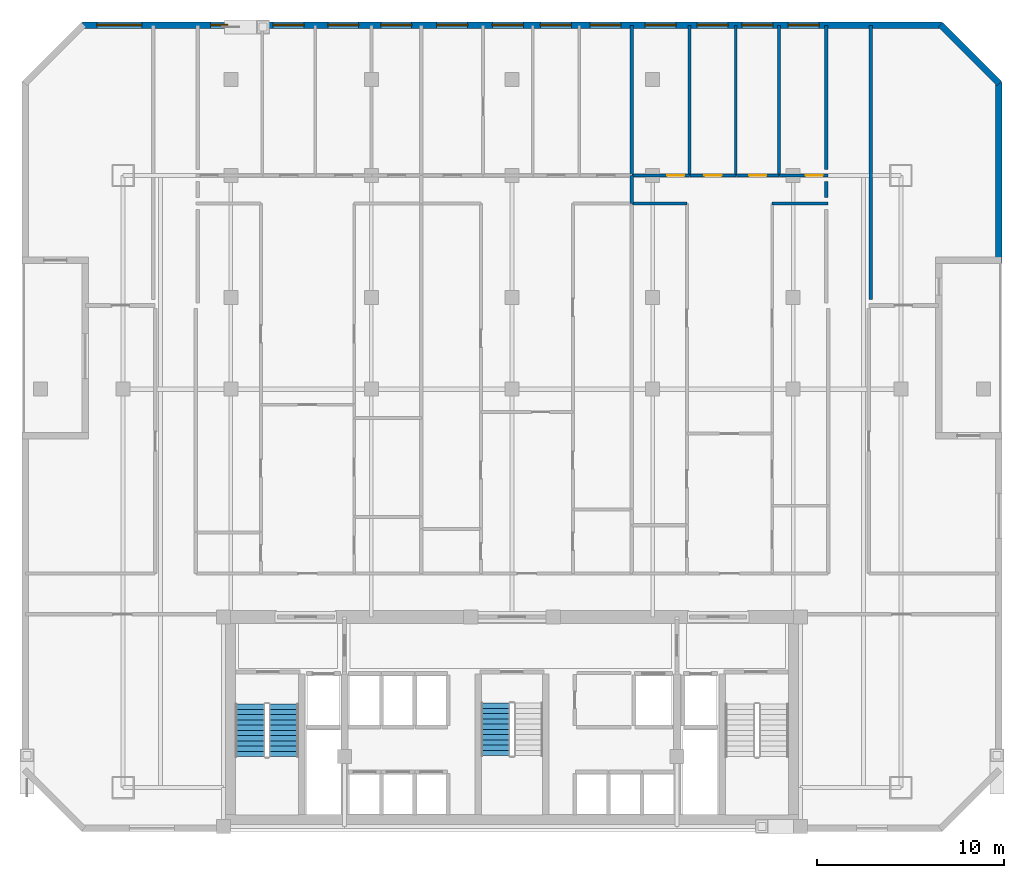
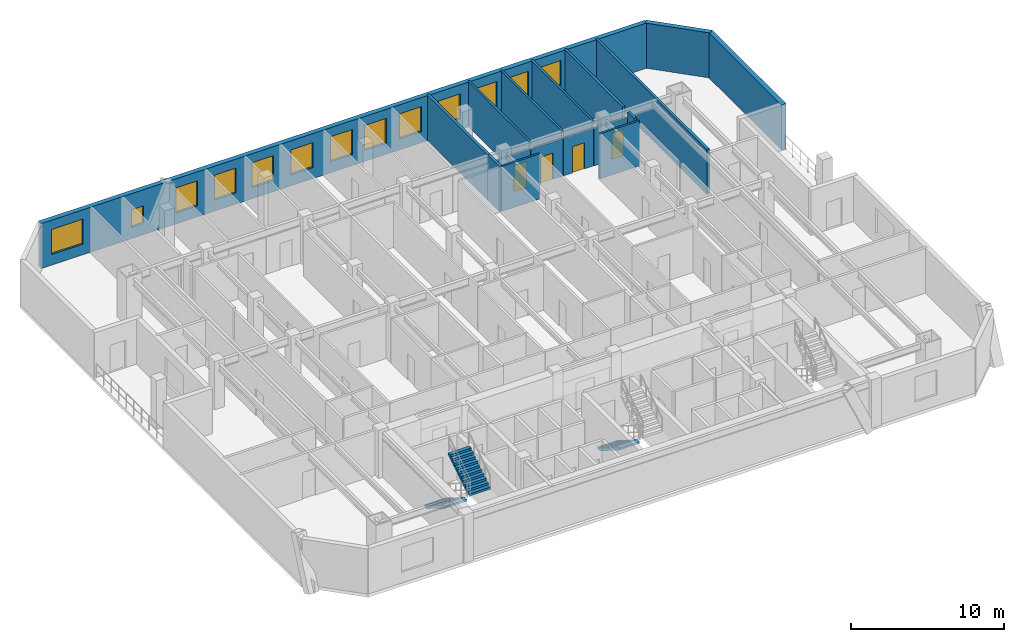
# One storey, part 7 of 10: 17 walls, 13 windows, 4 doors, 3 stair flights, 17 openings, 2 elements without a shape of their own.
"""IFC4 building model written with IfcOpenShell, lengths in metres."""

from ifc_helpers import new_model, si_unit, direction, frame, frame_2d, origin, place, context, subcontext, project, spatial, polyline, rectangle, outline, extrude, material, layer, layer_set, type_object, element, fill, aggregate, save


model = new_model("IFC4")

# Units and contexts
model_context = context("Model", 3, precision=1e-05, world=origin(), true_north=direction((0.0, 1.0)))
body_context = subcontext(model_context, "Body", "Model", "MODEL_VIEW")
ifc_project = project(units=[si_unit("LENGTHUNIT", "METRE"), si_unit("AREAUNIT", "SQUARE_METRE"), si_unit("VOLUMEUNIT", "CUBIC_METRE"), si_unit("PLANEANGLEUNIT", "RADIAN"), si_unit("MASSUNIT", "GRAM", prefix="KILO")], contexts=[model_context])

# Site, building, storey
site_placement = place(None, origin())
site = spatial("IfcSite", under=ifc_project, at=site_placement, CompositionType="ELEMENT")
building_placement = place(site_placement, origin())
building = spatial("IfcBuilding", under=site, at=building_placement, Name="Ventersveld Concourse Tower", CompositionType="ELEMENT")
storey_placement = place(building_placement, frame((0.0, 0.0, 123.39990234375)))
storey = spatial("IfcBuildingStorey", under=building, at=storey_placement, Name="L30", CompositionType="ELEMENT", Elevation=123.39990234375)

# Walls
ifc_material_1 = material(Name="Fire-rated autoclaved aerated masonry blockwork", Category="masonry")
ifc_layer_1 = layer(ifc_material_1, 0.179931640625)
ifc_layer_set_1 = layer_set([ifc_layer_1], Name="Fire-rated autoclaved aerated masonry blockwork")
wall_type_1 = type_object("IfcWallType", Name="WL-CORR-180", PredefinedType="PARTITIONING", material=ifc_layer_set_1)
wall_1_placement = place(storey_placement, frame((47.8798828125, 28.39501953125, 0.0), z_axis=(0.0, 0.0, 1.0), x_axis=(0.0, 1.0, 0.0)))
element("IfcWall", 1, at=wall_1_placement, inside=storey, type_object=wall_type_1, Name="L30 Room Enclosure Wall SP-L30-NELNG2", PredefinedType="PARTITIONING", context=body_context, shape_type="SweptSolid", body=[
    extrude(rectangle(XDim=14.594970703125, YDim=0.179931640625, at=frame_2d((7.29736328125, 0.0))), origin(), (0.0, 0.0, 1.0), 3.60009765625),
])
wall_2_placement = place(storey_placement, frame((45.52001953125, 34.675048828125, 0.0), z_axis=(0.0, 0.0, 1.0), x_axis=(0.0, -1.0, 0.0)))
element("IfcWall", 2, at=wall_2_placement, inside=storey, type_object=wall_type_1, Name="L30 Room Enclosure Wall SP-L30-30N3-LIV", PredefinedType="PARTITIONING", context=body_context, shape_type="SweptSolid", body=[
    extrude(rectangle(XDim=0.85009765625, YDim=0.179931640625, at=frame_2d((0.425048828125, 0.0))), origin(), (0.0, 0.0, 1.0), 3.60009765625),
])
wall_3_placement = place(storey_placement, frame((45.52001953125, 42.989990234375, 0.0), z_axis=(0.0, 0.0, 1.0), x_axis=(0.0, -1.0, 0.0)))
element("IfcWall", 3, at=wall_3_placement, inside=storey, type_object=wall_type_1, Name="L30 Room Enclosure Wall SP-L30-30N3-BR4", PredefinedType="PARTITIONING", context=body_context, shape_type="SweptSolid", body=[
    extrude(rectangle(XDim=7.6650390625, YDim=0.179931640625, at=frame_2d((3.83251953125, 0.0))), origin(), (0.0, 0.0, 1.0), 3.60009765625),
])
ifc_layer_2 = layer(ifc_material_1, 0.199951171875)
ifc_layer_set_2 = layer_set([ifc_layer_2], Name="Fire-rated autoclaved aerated masonry blockwork")
wall_type_2 = type_object("IfcWallType", Name="WL-DEMISE-200", PredefinedType="PARTITIONING", material=ifc_layer_set_2)
wall_4_placement = place(storey_placement, frame((35.144287109375, 33.4951171875, 0.0), z_axis=(0.0, 0.0, 1.0), x_axis=(0.0, 1.0, 0.0)))
element("IfcWall", 4, at=wall_4_placement, inside=storey, type_object=wall_type_2, Name="L30 Interior Partition SP-L30-30N2-LIV-SP-L30-30N3-LIV", PredefinedType="PARTITIONING", context=body_context, shape_type="SweptSolid", body=[
    extrude(rectangle(XDim=1.509765625, YDim=0.199951171875, at=frame_2d((0.7548828125, 0.0))), origin(), (0.0, 0.0, 1.0), 3.60009765625),
])
wall_5_placement = place(storey_placement, frame((35.144287109375, 35.034912109375, 0.0), z_axis=(0.0, 0.0, 1.0), x_axis=(0.0, 1.0, 0.0)))
element("IfcWall", 5, at=wall_5_placement, inside=storey, type_object=wall_type_2, Name="L30 Interior Partition SP-L30-30N2-BR4-SP-L30-30N3-BR1", PredefinedType="PARTITIONING", context=body_context, shape_type="SweptSolid", body=[
    extrude(rectangle(XDim=7.955078125, YDim=0.199951171875, at=frame_2d((3.9775390625, 0.0))), origin(), (0.0, 0.0, 1.0), 3.60009765625),
])
ifc_material_2 = material(Name="Autoclaved aerated masonry blockwork", Category="masonry")
ifc_layer_3 = layer(ifc_material_2, 0.14990234375)
ifc_layer_set_3 = layer_set([ifc_layer_3], Name="Autoclaved aerated masonry blockwork")
wall_type_3 = type_object("IfcWallType", Name="WL-INT-150", PredefinedType="PARTITIONING", material=ifc_layer_set_3)
wall_6_placement = place(storey_placement, frame((35.17919921875, 33.5, 0.0), z_axis=(0.0, 0.0, 1.0), x_axis=(1.0, 0.0, 0.0)))
element("IfcWall", 6, at=wall_6_placement, inside=storey, type_object=wall_type_3, Name="L30 Interior Partition SP-L30-30N3-LIV-SP-L30-30N3-OFFL0", PredefinedType="PARTITIONING", context=body_context, shape_type="SweptSolid", body=[
    extrude(rectangle(XDim=2.90576171875, YDim=0.14990234375, at=frame_2d((1.452880859375, 0.0))), origin(), (0.0, 0.0, 1.0), 3.60009765625),
])
wall_7_placement = place(storey_placement, frame((42.62646484375, 33.5, 0.0), z_axis=(0.0, 0.0, 1.0), x_axis=(1.0, 0.0, 0.0)))
element("IfcWall", 7, at=wall_7_placement, inside=storey, type_object=wall_type_3, Name="L30 Interior Partition SP-L30-30N3-LIV-SP-L30-30N3-DENR", PredefinedType="PARTITIONING", context=body_context, shape_type="SweptSolid", body=[
    extrude(rectangle(XDim=2.988525390625, YDim=0.14990234375, at=frame_2d((1.494140625, 0.0))), origin(), (0.0, 0.0, 1.0), 3.60009765625),
])

# Wall, opening, door
wall_8_placement = place(storey_placement, frame((35.17919921875, 35.0, 0.0), z_axis=(0.0, 0.0, 1.0), x_axis=(1.0, 0.0, 0.0)))
wall_8 = element("IfcWall", 8, at=wall_8_placement, inside=storey, type_object=wall_type_3, Name="L30 Interior Partition SP-L30-30N3-LIV-SP-L30-30N3-BR1", PredefinedType="PARTITIONING", context=body_context, shape_type="SweptSolid", body=[
    extrude(rectangle(XDim=3.043212890625, YDim=0.14990234375, at=frame_2d((1.521484375, 0.0))), origin(), (0.0, 0.0, 1.0), 2.98291015625),
])
opening_1_placement = place(wall_8_placement, frame((1.84326171875, 0.0, 0.0)))
opening_1 = element("IfcOpeningElement", 9, at=opening_1_placement, cuts=wall_8, Name="Opening ID1", PredefinedType="OPENING", context=body_context, shape_type="SweptSolid", body=[
    extrude(rectangle(XDim=0.919921875, YDim=2.10009765625, at=frame_2d((0.4599609375, 1.050048828125))), frame((0.0, 0.0849609375, 0.0), z_axis=(0.0, -1.0, 0.0), x_axis=(1.0, 0.0, 0.0)), (0.0, 0.0, 1.0), 0.169921875),
])
ifc_material_3 = material(Name="Solid-core hardwood veneer timber", Category="wood")
door_type = type_object("IfcDoorType", Name="DR-ROOM-092", OperationType="NOTDEFINED", PredefinedType="DOOR", material=ifc_material_3)
door_1_placement = place(opening_1_placement, origin())
door_1 = element("IfcDoor", 10, at=door_1_placement, inside=storey, type_object=door_type, Name="L30 Interior Door SP-L30-30N3-LIV to SP-L30-30N3-BR1 (D-L30-1529)", OperationType="SINGLE_SWING_LEFT", OverallHeight=2.10009765625, OverallWidth=0.919921875, PredefinedType="DOOR", context=body_context, shape_type="SweptSolid", body=[
    extrude(rectangle(XDim=0.919921875, YDim=2.10009765625, at=frame_2d((0.4599609375, 1.050048828125))), frame((0.0, 0.02490234375, 0.0), z_axis=(0.0, -1.0, 0.0), x_axis=(1.0, 0.0, 0.0)), (0.0, 0.0, 1.0), 0.050048828125),
])
fill(opening_1, door_1)

wall_9_placement = place(storey_placement, frame((38.25244140625, 35.0, 0.0), z_axis=(0.0, 0.0, 1.0), x_axis=(1.0, 0.0, 0.0)))
wall_9 = element("IfcWall", 11, at=wall_9_placement, inside=storey, type_object=wall_type_3, Name="L30 Interior Partition SP-L30-30N3-LIV-SP-L30-30N3-BR2", PredefinedType="PARTITIONING", context=body_context, shape_type="SweptSolid", body=[
    extrude(rectangle(XDim=2.434326171875, YDim=0.14990234375, at=frame_2d((1.21728515625, 0.0))), origin(), (0.0, 0.0, 1.0), 2.98291015625),
])
opening_2_placement = place(wall_9_placement, frame((0.757080078125, 0.0, 0.0)))
opening_2 = element("IfcOpeningElement", 12, at=opening_2_placement, cuts=wall_9, Name="Opening ID1", PredefinedType="OPENING", context=body_context, shape_type="SweptSolid", body=[
    extrude(rectangle(XDim=0.919921875, YDim=2.10009765625, at=frame_2d((0.4599609375, 1.050048828125))), frame((0.0, 0.0849609375, 0.0), z_axis=(0.0, -1.0, 0.0), x_axis=(1.0, 0.0, 0.0)), (0.0, 0.0, 1.0), 0.169921875),
])
door_2_placement = place(opening_2_placement, origin())
door_2 = element("IfcDoor", 13, at=door_2_placement, inside=storey, type_object=door_type, Name="L30 Interior Door SP-L30-30N3-LIV to SP-L30-30N3-BR2 (D-L30-1530)", OperationType="SINGLE_SWING_RIGHT", OverallHeight=2.10009765625, OverallWidth=0.919921875, PredefinedType="DOOR", context=body_context, shape_type="SweptSolid", body=[
    extrude(rectangle(XDim=0.919921875, YDim=2.10009765625, at=frame_2d((0.4599609375, 1.050048828125))), frame((0.0, 0.02490234375, 0.0), z_axis=(0.0, -1.0, 0.0), x_axis=(1.0, 0.0, 0.0)), (0.0, 0.0, 1.0), 0.050048828125),
])
fill(opening_2, door_2)

wall_10_placement = place(storey_placement, frame((40.716796875, 35.0, 0.0), z_axis=(0.0, 0.0, 1.0), x_axis=(1.0, 0.0, 0.0)))
wall_10 = element("IfcWall", 14, at=wall_10_placement, inside=storey, type_object=wall_type_3, Name="L30 Interior Partition SP-L30-30N3-LIV-SP-L30-30N3-BR3", PredefinedType="PARTITIONING", context=body_context, shape_type="SweptSolid", body=[
    extrude(rectangle(XDim=2.28173828125, YDim=0.14990234375, at=frame_2d((1.140869140625, 0.0))), origin(), (0.0, 0.0, 1.0), 2.98291015625),
])
opening_3_placement = place(wall_10_placement, frame((0.680908203125, 0.0, 0.0)))
opening_3 = element("IfcOpeningElement", 15, at=opening_3_placement, cuts=wall_10, Name="Opening ID1", PredefinedType="OPENING", context=body_context, shape_type="SweptSolid", body=[
    extrude(rectangle(XDim=0.919921875, YDim=2.10009765625, at=frame_2d((0.4599609375, 1.050048828125))), frame((0.0, 0.0849609375, 0.0), z_axis=(0.0, -1.0, 0.0), x_axis=(1.0, 0.0, 0.0)), (0.0, 0.0, 1.0), 0.169921875),
])
door_3_placement = place(opening_3_placement, origin())
door_3 = element("IfcDoor", 16, at=door_3_placement, inside=storey, type_object=door_type, Name="L30 Interior Door SP-L30-30N3-LIV to SP-L30-30N3-BR3 (D-L30-1531)", OperationType="SINGLE_SWING_LEFT", OverallHeight=2.10009765625, OverallWidth=0.919921875, PredefinedType="DOOR", context=body_context, shape_type="SweptSolid", body=[
    extrude(rectangle(XDim=0.919921875, YDim=2.10009765625, at=frame_2d((0.4599609375, 1.050048828125))), frame((0.0, 0.02490234375, 0.0), z_axis=(0.0, -1.0, 0.0), x_axis=(1.0, 0.0, 0.0)), (0.0, 0.0, 1.0), 0.050048828125),
])
fill(opening_3, door_3)

wall_11_placement = place(storey_placement, frame((43.028564453125, 35.0, 0.0), z_axis=(0.0, 0.0, 1.0), x_axis=(1.0, 0.0, 0.0)))
wall_11 = element("IfcWall", 17, at=wall_11_placement, inside=storey, type_object=wall_type_3, Name="L30 Interior Partition SP-L30-30N3-LIV-SP-L30-30N3-BR4", PredefinedType="PARTITIONING", context=body_context, shape_type="SweptSolid", body=[
    extrude(rectangle(XDim=2.58642578125, YDim=0.14990234375, at=frame_2d((1.293212890625, 0.0))), origin(), (0.0, 0.0, 1.0), 2.98291015625),
])
opening_4_placement = place(wall_11_placement, frame((1.386474609375, 0.0, 0.0)))
opening_4 = element("IfcOpeningElement", 18, at=opening_4_placement, cuts=wall_11, Name="Opening ID1", PredefinedType="OPENING", context=body_context, shape_type="SweptSolid", body=[
    extrude(rectangle(XDim=0.919921875, YDim=2.10009765625, at=frame_2d((0.4599609375, 1.050048828125))), frame((0.0, 0.0849609375, 0.0), z_axis=(0.0, -1.0, 0.0), x_axis=(1.0, 0.0, 0.0)), (0.0, 0.0, 1.0), 0.169921875),
])
door_4_placement = place(opening_4_placement, origin())
door_4 = element("IfcDoor", 19, at=door_4_placement, inside=storey, type_object=door_type, Name="L30 Interior Door SP-L30-30N3-LIV to SP-L30-30N3-BR4 (D-L30-1532)", OperationType="SINGLE_SWING_RIGHT", OverallHeight=2.10009765625, OverallWidth=0.919921875, PredefinedType="DOOR", context=body_context, shape_type="SweptSolid", body=[
    extrude(rectangle(XDim=0.919921875, YDim=2.10009765625, at=frame_2d((0.4599609375, 1.050048828125))), frame((0.0, 0.02490234375, 0.0), z_axis=(0.0, -1.0, 0.0), x_axis=(1.0, 0.0, 0.0)), (0.0, 0.0, 1.0), 0.050048828125),
])
fill(opening_4, door_4)

# Walls
for number, where, z_axis, x_axis, name in (
    (20, (38.217529296875, 34.9951171875, 0.0), (0.0, 0.0, 1.0), (0.0, 1.0, 0.0), "L30 Interior Partition SP-L30-30N3-BR1-SP-L30-30N3-BR2"),
    (21, (40.681640625, 34.9951171875, 0.0), (0.0, 0.0, 1.0), (0.0, 1.0, 0.0), "L30 Interior Partition SP-L30-30N3-BR2-SP-L30-30N3-BR3"),
    (22, (42.99365234375, 34.9951171875, 0.0), (0.0, 0.0, 1.0), (0.0, 1.0, 0.0), "L30 Interior Partition SP-L30-30N3-BR3-SP-L30-30N3-BR4"),
):
    element("IfcWall", number, at=place(storey_placement, frame(where, z_axis=z_axis, x_axis=x_axis)), inside=storey, type_object=wall_type_3, Name=name, PredefinedType="PARTITIONING", context=body_context, shape_type="SweptSolid", body=[
        extrude(rectangle(XDim=7.994873046875, YDim=0.14990234375, at=frame_2d((3.99755859375, 0.0))), origin(), (0.0, 0.0, 1.0), 3.60009765625),
    ])
ifc_material_4 = material(Name="Precast concrete C45/55", Category="concrete")
ifc_layer_4 = layer(ifc_material_4, 0.35009765625)
ifc_layer_set_4 = layer_set([ifc_layer_4], Name="Precast concrete C45/55")
wall_type_4 = type_object("IfcWallType", Name="WL-PREC-350", PredefinedType="SOLIDWALL", material=ifc_layer_set_4)
wall_12_placement = place(storey_placement, frame((54.72509765625, 30.340087890625, 0.0), z_axis=(0.0, 0.0, 1.0), x_axis=(0.0, 1.0, 0.0)))
element("IfcWall", 23, at=wall_12_placement, inside=storey, type_object=wall_type_4, Name="L30 Highveld Precast Facade Wall E07", PredefinedType="SOLIDWALL", context=body_context, shape_type="SweptSolid", body=[
    extrude(rectangle(XDim=9.619873046875, YDim=0.35009765625, at=frame_2d((4.81005859375, 0.0))), origin(), (0.0, 0.0, 1.0), 3.60009765625),
])
wall_13_placement = place(storey_placement, frame((54.748046875, 39.904541015625, 0.0), z_axis=(0.0, 0.0, 1.0), x_axis=(-0.707106781187, 0.707106781187, 0.0)))
element("IfcWall", 24, at=wall_13_placement, inside=storey, type_object=wall_type_4, Name="L30 Highveld Precast Facade Wall E08", PredefinedType="SOLIDWALL", context=body_context, shape_type="SweptSolid", body=[
    extrude(rectangle(XDim=4.445556640625, YDim=0.35009765625, at=frame_2d((2.22265625, 0.0))), origin(), (0.0, 0.0, 1.0), 3.60009765625),
])

# Wall, openings, windows
wall_14_placement = place(storey_placement, frame((51.659912109375, 43.02490234375, 0.0), z_axis=(0.0, 0.0, 1.0), x_axis=(-1.0, 0.0, 0.0)))
wall_14 = element("IfcWall", 25, at=wall_14_placement, inside=storey, type_object=wall_type_4, Name="L30 Highveld Precast Facade Wall E09", PredefinedType="SOLIDWALL", context=body_context, shape_type="SweptSolid", body=[
    extrude(rectangle(XDim=45.81982421875, YDim=0.35009765625, at=frame_2d((22.909912109375, 0.0))), origin(), (0.0, 0.0, 1.0), 3.60009765625),
])
opening_5_placement = place(wall_14_placement, frame((42.64990234375, 0.0, 0.85009765625)))
opening_5 = element("IfcOpeningElement", 26, at=opening_5_placement, cuts=wall_14, Name="Opening W5", PredefinedType="OPENING", context=body_context, shape_type="SweptSolid", body=[
    extrude(rectangle(XDim=2.39990234375, YDim=2.0, at=frame_2d((1.199951171875, 1.0))), frame((0.0, 0.18505859375, 0.0), z_axis=(0.0, -1.0, 0.0), x_axis=(1.0, 0.0, 0.0)), (0.0, 0.0, 1.0), 0.3701171875),
])
opening_6_placement = place(wall_14_placement, frame((38.081298828125, 0.0, 0.89990234375)))
opening_6 = element("IfcOpeningElement", 27, at=opening_6_placement, cuts=wall_14, Name="Opening W8", PredefinedType="OPENING", context=body_context, shape_type="SweptSolid", body=[
    extrude(rectangle(XDim=0.89990234375, YDim=1.39990234375, at=frame_2d((0.449951171875, 0.699951171875))), frame((0.0, 0.18505859375, 0.0), z_axis=(0.0, -1.0, 0.0), x_axis=(1.0, 0.0, 0.0)), (0.0, 0.0, 1.0), 0.3701171875),
])
opening_7_placement = place(wall_14_placement, frame((33.998291015625, 0.0, 0.8798828125)))
opening_7 = element("IfcOpeningElement", 28, at=opening_7_placement, cuts=wall_14, Name="Opening W6", PredefinedType="OPENING", context=body_context, shape_type="SweptSolid", body=[
    extrude(rectangle(XDim=1.64990234375, YDim=2.0, at=frame_2d((0.824951171875, 1.0))), frame((0.0, 0.18505859375, 0.0), z_axis=(0.0, -1.0, 0.0), x_axis=(1.0, 0.0, 0.0)), (0.0, 0.0, 1.0), 0.3701171875),
])
opening_8_placement = place(wall_14_placement, frame((31.0849609375, 0.0, 0.8798828125)))
opening_8 = element("IfcOpeningElement", 29, at=opening_8_placement, cuts=wall_14, Name="Opening W6", PredefinedType="OPENING", context=body_context, shape_type="SweptSolid", body=[
    extrude(rectangle(XDim=1.64990234375, YDim=2.0, at=frame_2d((0.824951171875, 1.0))), frame((0.0, 0.18505859375, 0.0), z_axis=(0.0, -1.0, 0.0), x_axis=(1.0, 0.0, 0.0)), (0.0, 0.0, 1.0), 0.3701171875),
])
opening_9_placement = place(wall_14_placement, frame((28.2578125, 0.0, 0.8798828125)))
opening_9 = element("IfcOpeningElement", 30, at=opening_9_placement, cuts=wall_14, Name="Opening W6", PredefinedType="OPENING", context=body_context, shape_type="SweptSolid", body=[
    extrude(rectangle(XDim=1.64990234375, YDim=2.0, at=frame_2d((0.824951171875, 1.0))), frame((0.0, 0.18505859375, 0.0), z_axis=(0.0, -1.0, 0.0), x_axis=(1.0, 0.0, 0.0)), (0.0, 0.0, 1.0), 0.3701171875),
])
opening_10_placement = place(wall_14_placement, frame((25.279296875, 0.0, 0.8798828125)))
opening_10 = element("IfcOpeningElement", 31, at=opening_10_placement, cuts=wall_14, Name="Opening W6", PredefinedType="OPENING", context=body_context, shape_type="SweptSolid", body=[
    extrude(rectangle(XDim=1.64990234375, YDim=2.0, at=frame_2d((0.824951171875, 1.0))), frame((0.0, 0.18505859375, 0.0), z_axis=(0.0, -1.0, 0.0), x_axis=(1.0, 0.0, 0.0)), (0.0, 0.0, 1.0), 0.3701171875),
])
opening_11_placement = place(wall_14_placement, frame((22.304931640625, 0.0, 0.8798828125)))
opening_11 = element("IfcOpeningElement", 32, at=opening_11_placement, cuts=wall_14, Name="Opening W6", PredefinedType="OPENING", context=body_context, shape_type="SweptSolid", body=[
    extrude(rectangle(XDim=1.64990234375, YDim=2.0, at=frame_2d((0.824951171875, 1.0))), frame((0.0, 0.18505859375, 0.0), z_axis=(0.0, -1.0, 0.0), x_axis=(1.0, 0.0, 0.0)), (0.0, 0.0, 1.0), 0.3701171875),
])
opening_12_placement = place(wall_14_placement, frame((19.741455078125, 0.0, 0.8798828125)))
opening_12 = element("IfcOpeningElement", 33, at=opening_12_placement, cuts=wall_14, Name="Opening W6", PredefinedType="OPENING", context=body_context, shape_type="SweptSolid", body=[
    extrude(rectangle(XDim=1.64990234375, YDim=2.0, at=frame_2d((0.824951171875, 1.0))), frame((0.0, 0.18505859375, 0.0), z_axis=(0.0, -1.0, 0.0), x_axis=(1.0, 0.0, 0.0)), (0.0, 0.0, 1.0), 0.3701171875),
])
opening_13_placement = place(wall_14_placement, frame((17.095703125, 0.0, 0.8798828125)))
opening_13 = element("IfcOpeningElement", 34, at=opening_13_placement, cuts=wall_14, Name="Opening W6", PredefinedType="OPENING", context=body_context, shape_type="SweptSolid", body=[
    extrude(rectangle(XDim=1.64990234375, YDim=2.0, at=frame_2d((0.824951171875, 1.0))), frame((0.0, 0.18505859375, 0.0), z_axis=(0.0, -1.0, 0.0), x_axis=(1.0, 0.0, 0.0)), (0.0, 0.0, 1.0), 0.3701171875),
])
opening_14_placement = place(wall_14_placement, frame((14.154052734375, 0.0, 0.8798828125)))
opening_14 = element("IfcOpeningElement", 35, at=opening_14_placement, cuts=wall_14, Name="Opening W6", PredefinedType="OPENING", context=body_context, shape_type="SweptSolid", body=[
    extrude(rectangle(XDim=1.64990234375, YDim=2.0, at=frame_2d((0.824951171875, 1.0))), frame((0.0, 0.18505859375, 0.0), z_axis=(0.0, -1.0, 0.0), x_axis=(1.0, 0.0, 0.0)), (0.0, 0.0, 1.0), 0.3701171875),
])
opening_15_placement = place(wall_14_placement, frame((11.385498046875, 0.0, 0.8798828125)))
opening_15 = element("IfcOpeningElement", 36, at=opening_15_placement, cuts=wall_14, Name="Opening W6", PredefinedType="OPENING", context=body_context, shape_type="SweptSolid", body=[
    extrude(rectangle(XDim=1.64990234375, YDim=2.0, at=frame_2d((0.824951171875, 1.0))), frame((0.0, 0.18505859375, 0.0), z_axis=(0.0, -1.0, 0.0), x_axis=(1.0, 0.0, 0.0)), (0.0, 0.0, 1.0), 0.3701171875),
])
opening_16_placement = place(wall_14_placement, frame((8.997314453125, 0.0, 0.8798828125)))
opening_16 = element("IfcOpeningElement", 37, at=opening_16_placement, cuts=wall_14, Name="Opening W6", PredefinedType="OPENING", context=body_context, shape_type="SweptSolid", body=[
    extrude(rectangle(XDim=1.64990234375, YDim=2.0, at=frame_2d((0.824951171875, 1.0))), frame((0.0, 0.18505859375, 0.0), z_axis=(0.0, -1.0, 0.0), x_axis=(1.0, 0.0, 0.0)), (0.0, 0.0, 1.0), 0.3701171875),
])
opening_17_placement = place(wall_14_placement, frame((6.533203125, 0.0, 0.8798828125)))
opening_17 = element("IfcOpeningElement", 38, at=opening_17_placement, cuts=wall_14, Name="Opening W6", PredefinedType="OPENING", context=body_context, shape_type="SweptSolid", body=[
    extrude(rectangle(XDim=1.64990234375, YDim=2.0, at=frame_2d((0.824951171875, 1.0))), frame((0.0, 0.18505859375, 0.0), z_axis=(0.0, -1.0, 0.0), x_axis=(1.0, 0.0, 0.0)), (0.0, 0.0, 1.0), 0.3701171875),
])
ifc_material_5 = material(Name="Tempered acoustic Low-E IGU", Category="glass")
window_type_1 = type_object("IfcWindowType", Name="WIN-090x140", PartitioningType="SINGLE_PANEL", PredefinedType="WINDOW", material=ifc_material_5)
window_1_placement = place(opening_6_placement, origin())
window_1 = element("IfcWindow", 39, at=window_1_placement, inside=storey, type_object=window_type_1, Name="L30 Punched Low-E Window W-0383", OverallHeight=1.39990234375, OverallWidth=0.89990234375, PartitioningType="SINGLE_PANEL", PredefinedType="WINDOW", context=body_context, shape_type="SweptSolid", body=[
    extrude(rectangle(XDim=0.89990234375, YDim=1.39990234375, at=frame_2d((0.449951171875, 0.699951171875))), frame((0.0, 0.030029296875, 0.0), z_axis=(0.0, -1.0, 0.0), x_axis=(1.0, 0.0, 0.0)), (0.0, 0.0, 1.0), 0.06005859375),
])
fill(opening_6, window_1)
window_type_2 = type_object("IfcWindowType", Name="WIN-165x200", PartitioningType="SINGLE_PANEL", PredefinedType="WINDOW", material=ifc_material_5)
window_2_placement = place(opening_7_placement, origin())
window_2 = element("IfcWindow", 40, at=window_2_placement, inside=storey, type_object=window_type_2, Name="L30 Punched Low-E Window W-0384", OverallHeight=2.0, OverallWidth=1.64990234375, PartitioningType="SINGLE_PANEL", PredefinedType="WINDOW", context=body_context, shape_type="SweptSolid", body=[
    extrude(rectangle(XDim=1.64990234375, YDim=2.0, at=frame_2d((0.824951171875, 1.0))), frame((0.0, 0.030029296875, 0.0), z_axis=(0.0, -1.0, 0.0), x_axis=(1.0, 0.0, 0.0)), (0.0, 0.0, 1.0), 0.06005859375),
])
fill(opening_7, window_2)
window_3_placement = place(opening_8_placement, origin())
window_3 = element("IfcWindow", 41, at=window_3_placement, inside=storey, type_object=window_type_2, Name="L30 Punched Low-E Window W-0385", OverallHeight=2.0, OverallWidth=1.64990234375, PartitioningType="SINGLE_PANEL", PredefinedType="WINDOW", context=body_context, shape_type="SweptSolid", body=[
    extrude(rectangle(XDim=1.64990234375, YDim=2.0, at=frame_2d((0.824951171875, 1.0))), frame((0.0, 0.030029296875, 0.0), z_axis=(0.0, -1.0, 0.0), x_axis=(1.0, 0.0, 0.0)), (0.0, 0.0, 1.0), 0.06005859375),
])
fill(opening_8, window_3)
window_4_placement = place(opening_9_placement, origin())
window_4 = element("IfcWindow", 42, at=window_4_placement, inside=storey, type_object=window_type_2, Name="L30 Punched Low-E Window W-0386", OverallHeight=2.0, OverallWidth=1.64990234375, PartitioningType="SINGLE_PANEL", PredefinedType="WINDOW", context=body_context, shape_type="SweptSolid", body=[
    extrude(rectangle(XDim=1.64990234375, YDim=2.0, at=frame_2d((0.824951171875, 1.0))), frame((0.0, 0.030029296875, 0.0), z_axis=(0.0, -1.0, 0.0), x_axis=(1.0, 0.0, 0.0)), (0.0, 0.0, 1.0), 0.06005859375),
])
fill(opening_9, window_4)
window_5_placement = place(opening_10_placement, origin())
window_5 = element("IfcWindow", 43, at=window_5_placement, inside=storey, type_object=window_type_2, Name="L30 Punched Low-E Window W-0387", OverallHeight=2.0, OverallWidth=1.64990234375, PartitioningType="SINGLE_PANEL", PredefinedType="WINDOW", context=body_context, shape_type="SweptSolid", body=[
    extrude(rectangle(XDim=1.64990234375, YDim=2.0, at=frame_2d((0.824951171875, 1.0))), frame((0.0, 0.030029296875, 0.0), z_axis=(0.0, -1.0, 0.0), x_axis=(1.0, 0.0, 0.0)), (0.0, 0.0, 1.0), 0.06005859375),
])
fill(opening_10, window_5)
window_6_placement = place(opening_11_placement, origin())
window_6 = element("IfcWindow", 44, at=window_6_placement, inside=storey, type_object=window_type_2, Name="L30 Punched Low-E Window W-0388", OverallHeight=2.0, OverallWidth=1.64990234375, PartitioningType="SINGLE_PANEL", PredefinedType="WINDOW", context=body_context, shape_type="SweptSolid", body=[
    extrude(rectangle(XDim=1.64990234375, YDim=2.0, at=frame_2d((0.824951171875, 1.0))), frame((0.0, 0.030029296875, 0.0), z_axis=(0.0, -1.0, 0.0), x_axis=(1.0, 0.0, 0.0)), (0.0, 0.0, 1.0), 0.06005859375),
])
fill(opening_11, window_6)
window_7_placement = place(opening_12_placement, origin())
window_7 = element("IfcWindow", 45, at=window_7_placement, inside=storey, type_object=window_type_2, Name="L30 Punched Low-E Window W-0389", OverallHeight=2.0, OverallWidth=1.64990234375, PartitioningType="SINGLE_PANEL", PredefinedType="WINDOW", context=body_context, shape_type="SweptSolid", body=[
    extrude(rectangle(XDim=1.64990234375, YDim=2.0, at=frame_2d((0.824951171875, 1.0))), frame((0.0, 0.030029296875, 0.0), z_axis=(0.0, -1.0, 0.0), x_axis=(1.0, 0.0, 0.0)), (0.0, 0.0, 1.0), 0.06005859375),
])
fill(opening_12, window_7)
window_8_placement = place(opening_13_placement, origin())
window_8 = element("IfcWindow", 46, at=window_8_placement, inside=storey, type_object=window_type_2, Name="L30 Punched Low-E Window W-0390", OverallHeight=2.0, OverallWidth=1.64990234375, PartitioningType="SINGLE_PANEL", PredefinedType="WINDOW", context=body_context, shape_type="SweptSolid", body=[
    extrude(rectangle(XDim=1.64990234375, YDim=2.0, at=frame_2d((0.824951171875, 1.0))), frame((0.0, 0.030029296875, 0.0), z_axis=(0.0, -1.0, 0.0), x_axis=(1.0, 0.0, 0.0)), (0.0, 0.0, 1.0), 0.06005859375),
])
fill(opening_13, window_8)
window_9_placement = place(opening_14_placement, origin())
window_9 = element("IfcWindow", 47, at=window_9_placement, inside=storey, type_object=window_type_2, Name="L30 Punched Low-E Window W-0391", OverallHeight=2.0, OverallWidth=1.64990234375, PartitioningType="SINGLE_PANEL", PredefinedType="WINDOW", context=body_context, shape_type="SweptSolid", body=[
    extrude(rectangle(XDim=1.64990234375, YDim=2.0, at=frame_2d((0.824951171875, 1.0))), frame((0.0, 0.030029296875, 0.0), z_axis=(0.0, -1.0, 0.0), x_axis=(1.0, 0.0, 0.0)), (0.0, 0.0, 1.0), 0.06005859375),
])
fill(opening_14, window_9)
window_10_placement = place(opening_15_placement, origin())
window_10 = element("IfcWindow", 48, at=window_10_placement, inside=storey, type_object=window_type_2, Name="L30 Punched Low-E Window W-0392", OverallHeight=2.0, OverallWidth=1.64990234375, PartitioningType="SINGLE_PANEL", PredefinedType="WINDOW", context=body_context, shape_type="SweptSolid", body=[
    extrude(rectangle(XDim=1.64990234375, YDim=2.0, at=frame_2d((0.824951171875, 1.0))), frame((0.0, 0.030029296875, 0.0), z_axis=(0.0, -1.0, 0.0), x_axis=(1.0, 0.0, 0.0)), (0.0, 0.0, 1.0), 0.06005859375),
])
fill(opening_15, window_10)
window_11_placement = place(opening_16_placement, origin())
window_11 = element("IfcWindow", 49, at=window_11_placement, inside=storey, type_object=window_type_2, Name="L30 Punched Low-E Window W-0393", OverallHeight=2.0, OverallWidth=1.64990234375, PartitioningType="SINGLE_PANEL", PredefinedType="WINDOW", context=body_context, shape_type="SweptSolid", body=[
    extrude(rectangle(XDim=1.64990234375, YDim=2.0, at=frame_2d((0.824951171875, 1.0))), frame((0.0, 0.030029296875, 0.0), z_axis=(0.0, -1.0, 0.0), x_axis=(1.0, 0.0, 0.0)), (0.0, 0.0, 1.0), 0.06005859375),
])
fill(opening_16, window_11)
window_12_placement = place(opening_17_placement, origin())
window_12 = element("IfcWindow", 50, at=window_12_placement, inside=storey, type_object=window_type_2, Name="L30 Punched Low-E Window W-0394", OverallHeight=2.0, OverallWidth=1.64990234375, PartitioningType="SINGLE_PANEL", PredefinedType="WINDOW", context=body_context, shape_type="SweptSolid", body=[
    extrude(rectangle(XDim=1.64990234375, YDim=2.0, at=frame_2d((0.824951171875, 1.0))), frame((0.0, 0.030029296875, 0.0), z_axis=(0.0, -1.0, 0.0), x_axis=(1.0, 0.0, 0.0)), (0.0, 0.0, 1.0), 0.06005859375),
])
fill(opening_17, window_12)
window_type_3 = type_object("IfcWindowType", Name="WIN-240x210", PartitioningType="SINGLE_PANEL", PredefinedType="WINDOW", material=ifc_material_5)
window_13_placement = place(opening_5_placement, origin())
window_13 = element("IfcWindow", 51, at=window_13_placement, inside=storey, type_object=window_type_3, Name="L30 Punched Low-E Window W-0380", OverallHeight=2.0, OverallWidth=2.39990234375, PartitioningType="SINGLE_PANEL", PredefinedType="WINDOW", context=body_context, shape_type="SweptSolid", body=[
    extrude(rectangle(XDim=2.39990234375, YDim=2.0, at=frame_2d((1.199951171875, 1.0))), frame((0.0, 0.030029296875, 0.0), z_axis=(0.0, -1.0, 0.0), x_axis=(1.0, 0.0, 0.0)), (0.0, 0.0, 1.0), 0.06005859375),
])
fill(opening_5, window_13)

# Stair, stair flight
ifc_material_6 = material(Name="Concrete C50/60", Category="concrete")
stair_type_1 = type_object("IfcStairType", Name="ST-DOG-155", PredefinedType="HALF_TURN_STAIR", material=ifc_material_6)
stair_1_placement = place(storey_placement, origin())
stair_1 = element("IfcStair", 52, at=stair_1_placement, inside=storey, type_object=stair_type_1, Name="L30 Protected Central Core Escape Stair ST-03", PredefinedType="HALF_TURN_STAIR")
stair_flight_type_1 = type_object("IfcStairFlightType", Name="STF-RC-155", PredefinedType="STRAIGHT", material=ifc_material_6)
stair_flight_1_placement = place(storey_placement, frame((27.875, 6.85009765625, 0.0), z_axis=(0.0, 0.0, 1.0), x_axis=(0.0, -1.0, 0.0)))
stair_flight_1 = element("IfcStairFlight", 53, at=stair_flight_1_placement, type_object=stair_flight_type_1, Name="ST-03 flight 1", NumberOfRisers=11, NumberOfTreads=10, PredefinedType="STRAIGHT", RiserHeight=0.175, TreadLength=0.28, context=body_context, shape_type="SweptSolid", body=[
    extrude(outline(polyline([(0.0, 0.0), (0.0, 0.175048828125), (0.280029296875, 0.175048828125), (0.280029296875, 0.35009765625), (0.56005859375, 0.35009765625), (0.56005859375, 0.52490234375), (0.840087890625, 0.52490234375), (0.840087890625, 0.699951171875), (1.1201171875, 0.699951171875), (1.1201171875, 0.875), (1.39990234375, 0.875), (1.39990234375, 1.050048828125), (1.679931640625, 1.050048828125), (1.679931640625, 1.22509765625), (1.9599609375, 1.22509765625), (1.9599609375, 1.39990234375), (2.239990234375, 1.39990234375), (2.239990234375, 1.574951171875), (2.52001953125, 1.574951171875), (2.52001953125, 1.75), (2.800048828125, 1.75), (2.800048828125, 1.925048828125), (2.800048828125, 1.5732421875), (0.28271484375, 0.0), (0.0, 0.0)])), frame((0.0, 0.77490234375, 0.0), z_axis=(0.0, -1.0, 0.0), x_axis=(1.0, 0.0, 0.0)), (0.0, 0.0, 1.0), 1.550048828125),
])
aggregate(stair_1, [stair_flight_1])

# Stair, stair flights
stair_type_2 = type_object("IfcStairType", Name="ST-DOG-160", PredefinedType="HALF_TURN_STAIR", material=ifc_material_6)
stair_2_placement = place(storey_placement, origin())
stair_2 = element("IfcStair", 54, at=stair_2_placement, inside=storey, type_object=stair_type_2, Name="L30 Protected Tower Escape Stair ST-01", PredefinedType="HALF_TURN_STAIR")
stair_flight_type_2 = type_object("IfcStairFlightType", Name="STF-RC-160", PredefinedType="STRAIGHT", material=ifc_material_6)
stair_flight_2_placement = place(storey_placement, frame((14.780029296875, 6.800048828125, 0.0), z_axis=(0.0, 0.0, 1.0), x_axis=(0.0, -1.0, 0.0)))
stair_flight_2 = element("IfcStairFlight", 55, at=stair_flight_2_placement, type_object=stair_flight_type_2, Name="ST-01 flight 1", NumberOfRisers=11, NumberOfTreads=10, PredefinedType="STRAIGHT", RiserHeight=0.175, TreadLength=0.28, context=body_context, shape_type="SweptSolid", body=[
    extrude(outline(polyline([(0.0, 0.0), (0.0, 0.175048828125), (0.280029296875, 0.175048828125), (0.280029296875, 0.35009765625), (0.56005859375, 0.35009765625), (0.56005859375, 0.52490234375), (0.840087890625, 0.52490234375), (0.840087890625, 0.699951171875), (1.1201171875, 0.699951171875), (1.1201171875, 0.875), (1.39990234375, 0.875), (1.39990234375, 1.050048828125), (1.679931640625, 1.050048828125), (1.679931640625, 1.22509765625), (1.9599609375, 1.22509765625), (1.9599609375, 1.39990234375), (2.239990234375, 1.39990234375), (2.239990234375, 1.574951171875), (2.52001953125, 1.574951171875), (2.52001953125, 1.75), (2.800048828125, 1.75), (2.800048828125, 1.925048828125), (2.800048828125, 1.5732421875), (0.28271484375, 0.0), (0.0, 0.0)])), frame((0.0, 0.800048828125, 0.0), z_axis=(0.0, -1.0, 0.0), x_axis=(1.0, 0.0, 0.0)), (0.0, 0.0, 1.0), 1.60009765625),
])
stair_flight_3_placement = place(storey_placement, frame((16.580078125, 4.0, 1.925048828125), z_axis=(0.0, 0.0, 1.0), x_axis=(0.0, 1.0, 0.0)))
stair_flight_3 = element("IfcStairFlight", 56, at=stair_flight_3_placement, type_object=stair_flight_type_2, Name="ST-01 flight 2", NumberOfRisers=11, NumberOfTreads=10, PredefinedType="STRAIGHT", RiserHeight=0.175, TreadLength=0.28, context=body_context, shape_type="SweptSolid", body=[
    extrude(outline(polyline([(0.0, 0.0), (0.0, 0.175048828125), (0.280029296875, 0.175048828125), (0.280029296875, 0.35009765625), (0.56005859375, 0.35009765625), (0.56005859375, 0.52490234375), (0.840087890625, 0.52490234375), (0.840087890625, 0.699951171875), (1.1201171875, 0.699951171875), (1.1201171875, 0.875), (1.39990234375, 0.875), (1.39990234375, 1.050048828125), (1.679931640625, 1.050048828125), (1.679931640625, 1.22509765625), (1.9599609375, 1.22509765625), (1.9599609375, 1.39990234375), (2.239990234375, 1.39990234375), (2.239990234375, 1.574951171875), (2.52001953125, 1.574951171875), (2.52001953125, 1.75), (2.800048828125, 1.75), (2.800048828125, 1.925048828125), (2.800048828125, 1.5732421875), (0.28271484375, 0.0), (0.0, 0.0)])), frame((0.0, 0.800048828125, 0.0), z_axis=(0.0, -1.0, 0.0), x_axis=(1.0, 0.0, 0.0)), (0.0, 0.0, 1.0), 1.60009765625),
])
aggregate(stair_2, [stair_flight_2, stair_flight_3])

save(model, "model.ifc")
